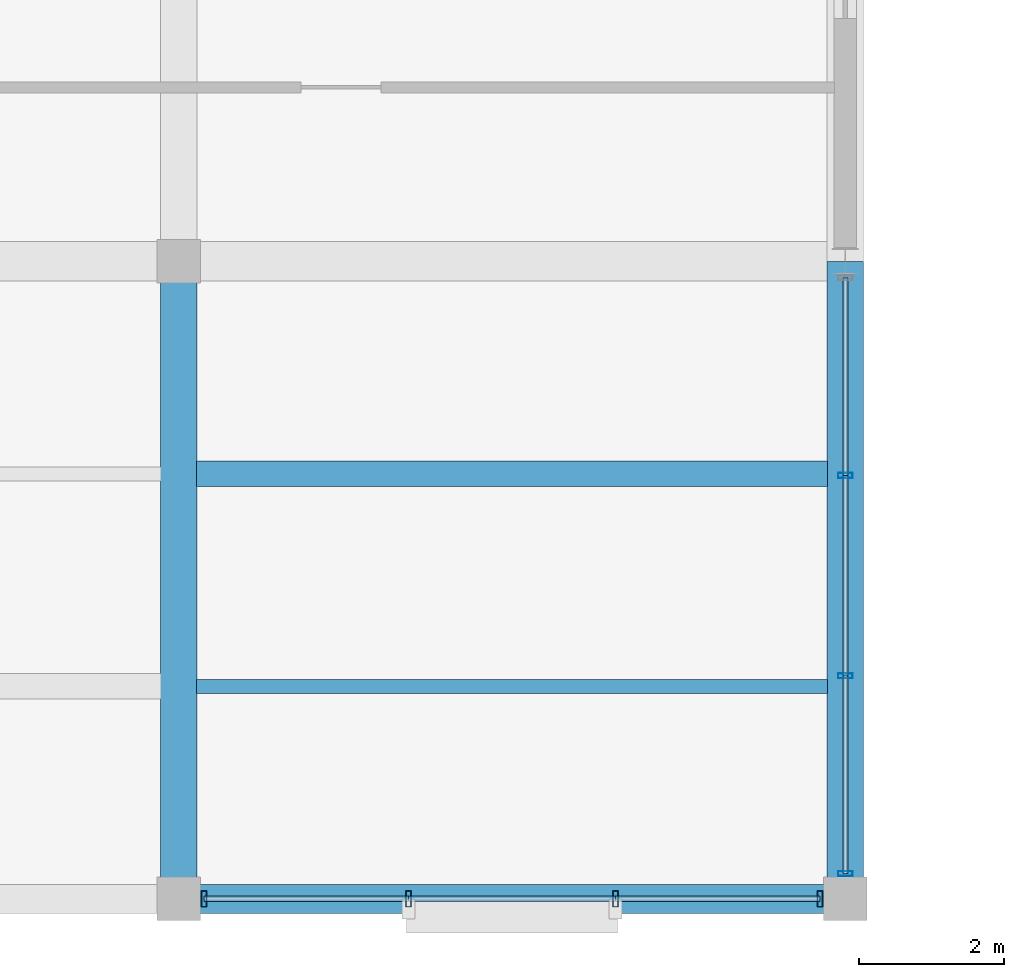
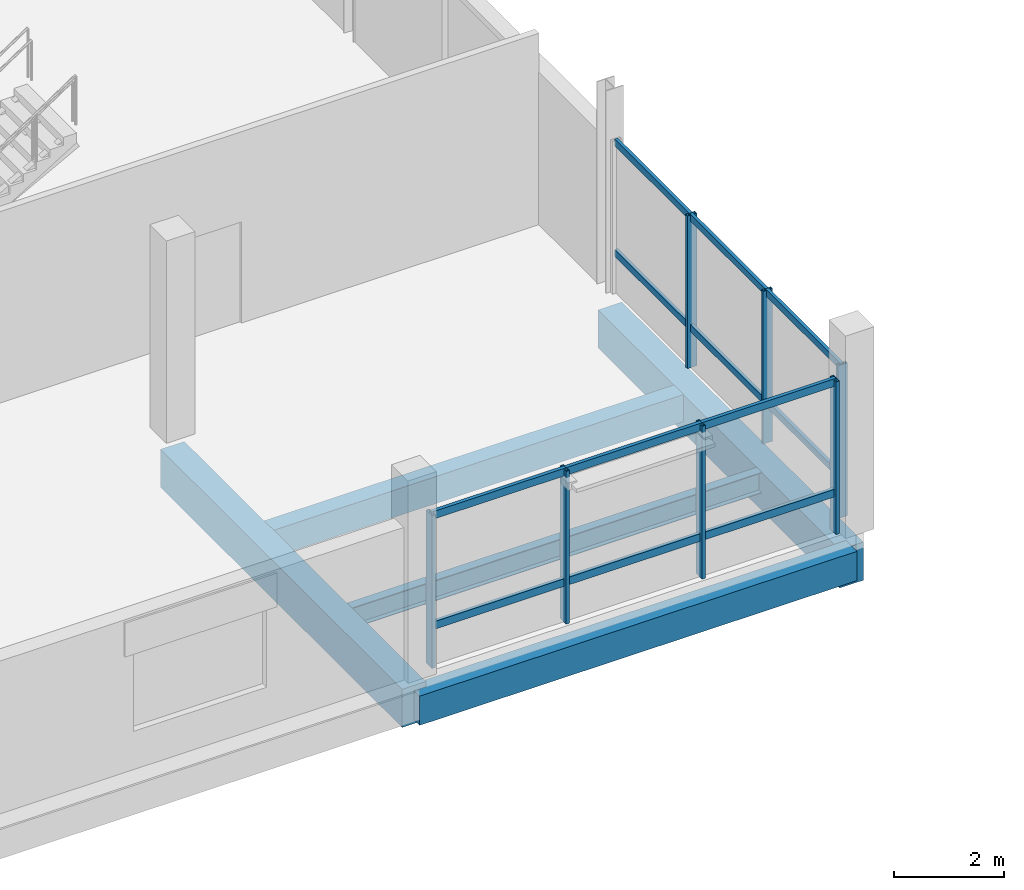
# One storey, part 28 of 77: 19 members, 5 beams, 2 elements without a shape of their own.
"""IFC4 building model written with IfcOpenShell, lengths in metres."""

from ifc_helpers import new_model, si_unit, direction, frame, origin, origin_2d, place, context, subcontext, project, spatial, rectangle, hollow_rectangle, i_section, extrude, material, layer, layer_set, material_profile, profile_set, type_object, element, aggregate, save


model = new_model("IFC4")

# Units and contexts
model_context = context("Model", 3, precision=1e-05, world=origin(), true_north=direction((0.0, 1.0)))
body_context = subcontext(model_context, "Body", "Model", "MODEL_VIEW")
ifc_project = project(units=[si_unit("LENGTHUNIT", "METRE"), si_unit("AREAUNIT", "SQUARE_METRE"), si_unit("VOLUMEUNIT", "CUBIC_METRE"), si_unit("PLANEANGLEUNIT", "RADIAN"), si_unit("MASSUNIT", "GRAM", prefix="KILO")], contexts=[model_context])

# Site, building, storey
site_placement = place(None, origin())
site = spatial("IfcSite", under=ifc_project, at=site_placement, CompositionType="ELEMENT")
building_placement = place(site_placement, origin())
building = spatial("IfcBuilding", under=site, at=building_placement, Name="Meriwether Solvik Hall", CompositionType="ELEMENT")
storey_placement = place(building_placement, frame((0.0, 0.0, 9.89990234375)))
storey = spatial("IfcBuildingStorey", under=building, at=storey_placement, Name="L02", CompositionType="ELEMENT", Elevation=9.89990234375)

# Beams
ifc_material_1 = material(Name="Concrete C40/50", Category="concrete")
ifc_material_profile_1 = material_profile(ifc_material_1, rectangle(XDim=0.35009765625, YDim=0.60009765625, at=origin_2d()), Name="RCB-350X600")
ifc_profile_set_1 = profile_set([ifc_material_profile_1], Name="Concrete C40/50")
beam_type_1 = type_object("IfcBeamType", Name="BM-RC-350X600", PredefinedType="JOIST", material=ifc_profile_set_1)
beam_1_placement = place(storey_placement, frame((105.2451171875, 11.066650390625, -0.75), z_axis=(1.0, 0.0, 0.0), x_axis=(0.0, 1.0, 0.0)))
element("IfcBeam", 1, at=beam_1_placement, inside=storey, type_object=beam_type_1, Name="Secondary Floor Joist 12/A_J2 (L02)", PredefinedType="JOIST", context=body_context, shape_type="SweptSolid", body=[
    extrude(rectangle(XDim=0.35009765625, YDim=0.60009765625, at=origin_2d()), origin(), (0.0, 0.0, 1.0), 8.7099609375),
])
ifc_material_2 = material(Name="Concrete C40/50", Category="concrete")
ifc_material_profile_2 = material_profile(ifc_material_2, rectangle(XDim=0.39990234375, YDim=0.64990234375, at=origin_2d()), Name="RCB-400X650")
ifc_profile_set_2 = profile_set([ifc_material_profile_2], Name="Concrete C40/50")
beam_type_2 = type_object("IfcBeamType", Name="BM-RC-400X650", PredefinedType="SPANDREL", material=ifc_profile_set_2)
beam_2_placement = place(storey_placement, frame((105.0, 5.199951171875, -0.77490234375), z_axis=(1.0, 0.0, 0.0), x_axis=(0.0, 1.0, 0.0)))
element("IfcBeam", 2, at=beam_2_placement, inside=storey, type_object=beam_type_2, Name="Podium Girder A:12-13 (L02)", PredefinedType="SPANDREL", context=body_context, shape_type="SweptSolid", body=[
    extrude(rectangle(XDim=0.39990234375, YDim=0.64990234375, at=origin_2d()), origin(), (0.0, 0.0, 1.0), 9.199951171875),
])
ifc_material_3 = material(Name="Concrete C40/50", Category="concrete")
ifc_material_profile_3 = material_profile(ifc_material_3, rectangle(XDim=0.5, YDim=0.85009765625, at=origin_2d()), Name="RCB-500X850")
ifc_profile_set_3 = profile_set([ifc_material_profile_3], Name="Concrete C40/50")
beam_type_3 = type_object("IfcBeamType", Name="BM-RC-500X850", PredefinedType="BEAM", material=ifc_profile_set_3)
for number, where, z_axis, x_axis, name in (
    (3, (105.0, 5.199951171875, -0.7548828125), (0.0, 1.0, 0.0), (-1.0, 0.0, 0.0), "Podium Girder 12:A-B (L02)"),
    (4, (114.199951171875, 5.199951171875, -0.875), (0.0, 1.0, 0.0), (-1.0, 0.0, 0.0), "Podium Girder 13:A-B (L02)"),
):
    element("IfcBeam", number, at=place(storey_placement, frame(where, z_axis=z_axis, x_axis=x_axis)), inside=storey, type_object=beam_type_3, Name=name, PredefinedType="BEAM", context=body_context, shape_type="SweptSolid", body=[
        extrude(rectangle(XDim=0.5, YDim=0.85009765625, at=origin_2d()), origin(), (0.0, 0.0, 1.0), 8.800048828125),
    ])
ifc_material_4 = material(Name="Steel A992 Grade 50", Category="steel")
ifc_material_profile_4 = material_profile(ifc_material_4, i_section(OverallWidth=0.19091796875, OverallDepth=0.45703125, WebThickness=0.009033203125, FlangeThickness=0.014404296875, at=origin_2d()), Name="W18X50")
ifc_profile_set_4 = profile_set([ifc_material_profile_4], Name="Steel A992 Grade 50")
beam_type_4 = type_object("IfcBeamType", Name="BM-STL-W18X50", PredefinedType="JOIST", material=ifc_profile_set_4)
beam_3_placement = place(storey_placement, frame((105.2451171875, 8.13330078125, -0.678466796875), z_axis=(1.0, 0.0, 0.0), x_axis=(0.0, 1.0, 0.0)))
element("IfcBeam", 5, at=beam_3_placement, inside=storey, type_object=beam_type_4, Name="Secondary Floor Joist 12/A_J1 (L02)", PredefinedType="JOIST", context=body_context, shape_type="SweptSolid", body=[
    extrude(i_section(OverallWidth=0.19091796875, OverallDepth=0.45703125, WebThickness=0.009033203125, FlangeThickness=0.014404296875, at=origin_2d()), origin(), (0.0, 0.0, 1.0), 8.7099609375),
])

# Curtain wall, members
ifc_material_5 = material(Name="Thermally Broken Anodised Aluminium 6063-T6 and Low-E Glass", Category="aluminium")
ifc_layer = layer(ifc_material_5, 0.179931640625)
ifc_layer_set = layer_set([ifc_layer], Name="Thermally Broken Anodised Aluminium 6063-T6 and Low-E Glass")
curtain_wall_type = type_object("IfcCurtainWallType", Name="CW-SF-POD-C", PredefinedType="USERDEFINED", material=ifc_layer_set)
curtain_wall_1_placement = place(storey_placement, origin())
curtain_wall_1 = element("IfcCurtainWall", 6, at=curtain_wall_1_placement, inside=storey, type_object=curtain_wall_type, Name="Curtain Wall wing_Y13_1_37 (L02)", ObjectType="STICK STOREFRONT GLAZING", PredefinedType="USERDEFINED")
ifc_material_6 = material(Name="Anodised Aluminium 6063-T6", Category="aluminium")
ifc_material_profile_5 = material_profile(ifc_material_6, hollow_rectangle(XDim=0.070068359375, YDim=0.199951171875, WallThickness=0.0048828125, at=origin_2d()), Name="CWM-70X200")
ifc_profile_set_5 = profile_set([ifc_material_profile_5], Name="Anodised Aluminium 6063-T6")
member_type_1 = type_object("IfcMemberType", Name="CW-MUL-70X200", PredefinedType="MULLION", material=ifc_profile_set_5)
member_1_placement = place(storey_placement, frame((114.199951171875, 11.0439453125, 0.0), z_axis=(0.0, 0.0, 1.0), x_axis=(0.0, -1.0, 0.0)))
member_1 = element("IfcMember", 7, at=member_1_placement, type_object=member_type_1, Name="Curtain Wall Mullion 2", PredefinedType="MULLION", context=body_context, shape_type="SweptSolid", body=[
    extrude(hollow_rectangle(XDim=0.070068359375, YDim=0.199951171875, WallThickness=0.0048828125, at=origin_2d()), origin(), (0.0, 0.0, 1.0), 3.39501953125),
])
member_2_placement = place(storey_placement, frame((114.199951171875, 8.278076171875, 0.0), z_axis=(0.0, 0.0, 1.0), x_axis=(0.0, -1.0, 0.0)))
member_2 = element("IfcMember", 8, at=member_2_placement, type_object=member_type_1, Name="Curtain Wall Mullion 3", PredefinedType="MULLION", context=body_context, shape_type="SweptSolid", body=[
    extrude(hollow_rectangle(XDim=0.070068359375, YDim=0.199951171875, WallThickness=0.0048828125, at=origin_2d()), origin(), (0.0, 0.0, 1.0), 3.39501953125),
])
member_3_placement = place(storey_placement, frame((114.199951171875, 5.550048828125, 0.0), z_axis=(0.0, 0.0, 1.0), x_axis=(0.0, -1.0, 0.0)))
member_3 = element("IfcMember", 9, at=member_3_placement, type_object=member_type_1, Name="Curtain Wall Mullion 4", PredefinedType="MULLION", context=body_context, shape_type="SweptSolid", body=[
    extrude(hollow_rectangle(XDim=0.070068359375, YDim=0.199951171875, WallThickness=0.0048828125, at=origin_2d()), origin(), (0.0, 0.0, 1.0), 3.39501953125),
])

curtain_wall_2_placement = place(storey_placement, origin())
curtain_wall_2 = element("IfcCurtainWall", 10, at=curtain_wall_2_placement, inside=storey, type_object=curtain_wall_type, Name="Curtain Wall wing_XA_12_5 (L02)", ObjectType="STICK STOREFRONT GLAZING", PredefinedType="USERDEFINED")
ifc_material_7 = material(Name="Anodised Aluminium 6063-T6", Category="aluminium")
ifc_material_profile_6 = material_profile(ifc_material_7, hollow_rectangle(XDim=0.074951171875, YDim=0.219970703125, WallThickness=0.005615234375, at=origin_2d()), Name="CWM-75X220")
ifc_profile_set_6 = profile_set([ifc_material_profile_6], Name="Anodised Aluminium 6063-T6")
member_type_2 = type_object("IfcMemberType", Name="CW-MUL-75X220", PredefinedType="MULLION", material=ifc_profile_set_6)
member_4_placement = place(storey_placement, frame((113.85009765625, 5.199951171875, 0.0), z_axis=(0.0, 0.0, 1.0), x_axis=(-1.0, 0.0, 0.0)))
member_4 = element("IfcMember", 11, at=member_4_placement, type_object=member_type_2, Name="Curtain Wall Mullion 1", PredefinedType="MULLION", context=body_context, shape_type="SweptSolid", body=[
    extrude(hollow_rectangle(XDim=0.074951171875, YDim=0.219970703125, WallThickness=0.005615234375, at=origin_2d()), origin(), (0.0, 0.0, 1.0), 3.39501953125),
])
member_5_placement = place(storey_placement, frame((111.029296875, 5.199951171875, 0.0), z_axis=(0.0, 0.0, 1.0), x_axis=(-1.0, 0.0, 0.0)))
member_5 = element("IfcMember", 12, at=member_5_placement, type_object=member_type_2, Name="Curtain Wall Mullion 2", PredefinedType="MULLION", context=body_context, shape_type="SweptSolid", body=[
    extrude(hollow_rectangle(XDim=0.074951171875, YDim=0.219970703125, WallThickness=0.005615234375, at=origin_2d()), origin(), (0.0, 0.0, 1.0), 3.39501953125),
])
member_6_placement = place(storey_placement, frame((108.170654296875, 5.199951171875, 0.0), z_axis=(0.0, 0.0, 1.0), x_axis=(-1.0, 0.0, 0.0)))
member_6 = element("IfcMember", 13, at=member_6_placement, type_object=member_type_2, Name="Curtain Wall Mullion 3", PredefinedType="MULLION", context=body_context, shape_type="SweptSolid", body=[
    extrude(hollow_rectangle(XDim=0.074951171875, YDim=0.219970703125, WallThickness=0.005615234375, at=origin_2d()), origin(), (0.0, 0.0, 1.0), 3.39501953125),
])
member_7_placement = place(storey_placement, frame((105.35009765625, 5.199951171875, 0.0), z_axis=(0.0, 0.0, 1.0), x_axis=(-1.0, 0.0, 0.0)))
member_7 = element("IfcMember", 14, at=member_7_placement, type_object=member_type_2, Name="Curtain Wall Mullion 4", PredefinedType="MULLION", context=body_context, shape_type="SweptSolid", body=[
    extrude(hollow_rectangle(XDim=0.074951171875, YDim=0.219970703125, WallThickness=0.005615234375, at=origin_2d()), origin(), (0.0, 0.0, 1.0), 3.39501953125),
])

# Member
ifc_material_8 = material(Name="Anodised Aluminium 6063-T6", Category="aluminium")
ifc_material_profile_7 = material_profile(ifc_material_8, hollow_rectangle(XDim=0.070068359375, YDim=0.14990234375, WallThickness=0.0048828125, at=origin_2d()), Name="CWT-70X150")
ifc_profile_set_7 = profile_set([ifc_material_profile_7], Name="Anodised Aluminium 6063-T6")
member_type_3 = type_object("IfcMemberType", Name="CW-TRN-70X150", PredefinedType="USERDEFINED", material=ifc_profile_set_7)
member_8_placement = place(storey_placement, frame((114.199951171875, 13.77197265625, 0.880126953125), z_axis=(0.0, -1.0, 0.0), x_axis=(1.0, 0.0, 0.0)))
member_8 = element("IfcMember", 15, at=member_8_placement, type_object=member_type_3, Name="Curtain Wall Transom 1-sill", ObjectType="TRANSOM", PredefinedType="USERDEFINED", context=body_context, shape_type="SweptSolid", body=[
    extrude(hollow_rectangle(XDim=0.070068359375, YDim=0.14990234375, WallThickness=0.0048828125, at=origin_2d()), origin(), (0.0, 0.0, 1.0), 2.72802734375),
])

member_9_placement = place(storey_placement, frame((114.199951171875, 13.77197265625, 3.335205078125), z_axis=(0.0, -1.0, 0.0), x_axis=(1.0, 0.0, 0.0)))
member_9 = element("IfcMember", 16, at=member_9_placement, type_object=member_type_3, Name="Curtain Wall Transom 1-head", ObjectType="TRANSOM", PredefinedType="USERDEFINED", context=body_context, shape_type="SweptSolid", body=[
    extrude(hollow_rectangle(XDim=0.070068359375, YDim=0.14990234375, WallThickness=0.0048828125, at=origin_2d()), origin(), (0.0, 0.0, 1.0), 2.72802734375),
])

member_10_placement = place(storey_placement, frame((114.199951171875, 11.0439453125, 0.880126953125), z_axis=(0.0, -1.0, 0.0), x_axis=(1.0, 0.0, 0.0)))
member_10 = element("IfcMember", 17, at=member_10_placement, type_object=member_type_3, Name="Curtain Wall Transom 2-sill", ObjectType="TRANSOM", PredefinedType="USERDEFINED", context=body_context, shape_type="SweptSolid", body=[
    extrude(hollow_rectangle(XDim=0.070068359375, YDim=0.14990234375, WallThickness=0.0048828125, at=origin_2d()), origin(), (0.0, 0.0, 1.0), 2.765869140625),
])

member_11_placement = place(storey_placement, frame((114.199951171875, 11.0439453125, 3.335205078125), z_axis=(0.0, -1.0, 0.0), x_axis=(1.0, 0.0, 0.0)))
member_11 = element("IfcMember", 18, at=member_11_placement, type_object=member_type_3, Name="Curtain Wall Transom 2-head", ObjectType="TRANSOM", PredefinedType="USERDEFINED", context=body_context, shape_type="SweptSolid", body=[
    extrude(hollow_rectangle(XDim=0.070068359375, YDim=0.14990234375, WallThickness=0.0048828125, at=origin_2d()), origin(), (0.0, 0.0, 1.0), 2.765869140625),
])

member_12_placement = place(storey_placement, frame((114.199951171875, 8.278076171875, 0.880126953125), z_axis=(0.0, -1.0, 0.0), x_axis=(1.0, 0.0, 0.0)))
member_12 = element("IfcMember", 19, at=member_12_placement, type_object=member_type_3, Name="Curtain Wall Transom 3-sill", ObjectType="TRANSOM", PredefinedType="USERDEFINED", context=body_context, shape_type="SweptSolid", body=[
    extrude(hollow_rectangle(XDim=0.070068359375, YDim=0.14990234375, WallThickness=0.0048828125, at=origin_2d()), origin(), (0.0, 0.0, 1.0), 2.72802734375),
])

member_13_placement = place(storey_placement, frame((114.199951171875, 8.278076171875, 3.335205078125), z_axis=(0.0, -1.0, 0.0), x_axis=(1.0, 0.0, 0.0)))
member_13 = element("IfcMember", 20, at=member_13_placement, type_object=member_type_3, Name="Curtain Wall Transom 3-head", ObjectType="TRANSOM", PredefinedType="USERDEFINED", context=body_context, shape_type="SweptSolid", body=[
    extrude(hollow_rectangle(XDim=0.070068359375, YDim=0.14990234375, WallThickness=0.0048828125, at=origin_2d()), origin(), (0.0, 0.0, 1.0), 2.72802734375),
])

aggregate(curtain_wall_1, [member_1, member_2, member_3, member_8, member_9, member_10, member_11, member_12, member_13])

ifc_material_9 = material(Name="Anodised Aluminium 6063-T6", Category="aluminium")
ifc_material_profile_8 = material_profile(ifc_material_9, hollow_rectangle(XDim=0.074951171875, YDim=0.169921875, WallThickness=0.005615234375, at=origin_2d()), Name="CWT-75X170")
ifc_profile_set_8 = profile_set([ifc_material_profile_8], Name="Anodised Aluminium 6063-T6")
member_type_4 = type_object("IfcMemberType", Name="CW-TRN-75X170", PredefinedType="USERDEFINED", material=ifc_profile_set_8)
member_14_placement = place(storey_placement, frame((113.85009765625, 5.199951171875, 0.880126953125), z_axis=(-1.0, 0.0, 0.0), x_axis=(0.0, -1.0, 0.0)))
member_14 = element("IfcMember", 21, at=member_14_placement, type_object=member_type_4, Name="Curtain Wall Transom 1-sill", ObjectType="TRANSOM", PredefinedType="USERDEFINED", context=body_context, shape_type="SweptSolid", body=[
    extrude(hollow_rectangle(XDim=0.074951171875, YDim=0.169921875, WallThickness=0.005615234375, at=origin_2d()), origin(), (0.0, 0.0, 1.0), 2.82080078125),
])

member_15_placement = place(storey_placement, frame((113.85009765625, 5.199951171875, 3.335205078125), z_axis=(-1.0, 0.0, 0.0), x_axis=(0.0, -1.0, 0.0)))
member_15 = element("IfcMember", 22, at=member_15_placement, type_object=member_type_4, Name="Curtain Wall Transom 1-head", ObjectType="TRANSOM", PredefinedType="USERDEFINED", context=body_context, shape_type="SweptSolid", body=[
    extrude(hollow_rectangle(XDim=0.074951171875, YDim=0.169921875, WallThickness=0.005615234375, at=origin_2d()), origin(), (0.0, 0.0, 1.0), 2.82080078125),
])

member_16_placement = place(storey_placement, frame((111.029296875, 5.199951171875, 0.880126953125), z_axis=(-1.0, 0.0, 0.0), x_axis=(0.0, -1.0, 0.0)))
member_16 = element("IfcMember", 23, at=member_16_placement, type_object=member_type_4, Name="Curtain Wall Transom 2-sill", ObjectType="TRANSOM", PredefinedType="USERDEFINED", context=body_context, shape_type="SweptSolid", body=[
    extrude(hollow_rectangle(XDim=0.074951171875, YDim=0.169921875, WallThickness=0.005615234375, at=origin_2d()), origin(), (0.0, 0.0, 1.0), 2.858642578125),
])

member_17_placement = place(storey_placement, frame((111.029296875, 5.199951171875, 3.335205078125), z_axis=(-1.0, 0.0, 0.0), x_axis=(0.0, -1.0, 0.0)))
member_17 = element("IfcMember", 24, at=member_17_placement, type_object=member_type_4, Name="Curtain Wall Transom 2-head", ObjectType="TRANSOM", PredefinedType="USERDEFINED", context=body_context, shape_type="SweptSolid", body=[
    extrude(hollow_rectangle(XDim=0.074951171875, YDim=0.169921875, WallThickness=0.005615234375, at=origin_2d()), origin(), (0.0, 0.0, 1.0), 2.858642578125),
])

member_18_placement = place(storey_placement, frame((108.170654296875, 5.199951171875, 0.880126953125), z_axis=(-1.0, 0.0, 0.0), x_axis=(0.0, -1.0, 0.0)))
member_18 = element("IfcMember", 25, at=member_18_placement, type_object=member_type_4, Name="Curtain Wall Transom 3-sill", ObjectType="TRANSOM", PredefinedType="USERDEFINED", context=body_context, shape_type="SweptSolid", body=[
    extrude(hollow_rectangle(XDim=0.074951171875, YDim=0.169921875, WallThickness=0.005615234375, at=origin_2d()), origin(), (0.0, 0.0, 1.0), 2.820556640625),
])

member_19_placement = place(storey_placement, frame((108.170654296875, 5.199951171875, 3.335205078125), z_axis=(-1.0, 0.0, 0.0), x_axis=(0.0, -1.0, 0.0)))
member_19 = element("IfcMember", 26, at=member_19_placement, type_object=member_type_4, Name="Curtain Wall Transom 3-head", ObjectType="TRANSOM", PredefinedType="USERDEFINED", context=body_context, shape_type="SweptSolid", body=[
    extrude(hollow_rectangle(XDim=0.074951171875, YDim=0.169921875, WallThickness=0.005615234375, at=origin_2d()), origin(), (0.0, 0.0, 1.0), 2.820556640625),
])

aggregate(curtain_wall_2, [member_4, member_5, member_6, member_7, member_14, member_15, member_16, member_17, member_18, member_19])

save(model, "model.ifc")
